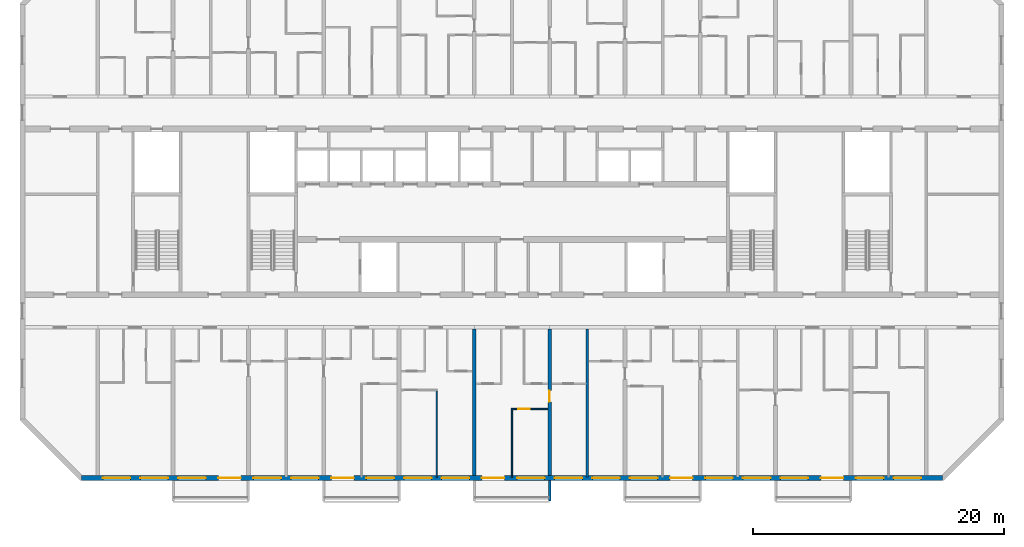
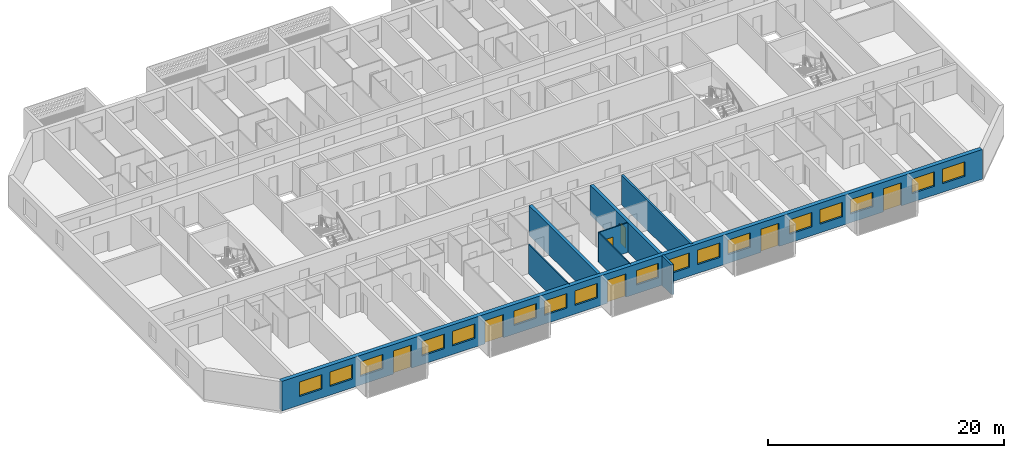
# One storey, part 4 of 33: 17 windows, 8 walls, 7 doors, 24 openings.
"""IFC4 building model written with IfcOpenShell, lengths in metres."""

from ifc_helpers import new_model, si_unit, direction, frame, frame_2d, origin, place, context, subcontext, project, spatial, polyline, rectangle, outline, extrude, source, transform, mapped, material, layer, layer_set, type_object, element, fill, save


model = new_model("IFC4")

# Units and contexts
model_context = context("Model", 3, precision=1e-05, world=origin(), true_north=direction((0.0, 1.0)))
body_context = subcontext(model_context, "Body", "Model", "MODEL_VIEW")
ifc_project = project(units=[si_unit("LENGTHUNIT", "METRE"), si_unit("AREAUNIT", "SQUARE_METRE"), si_unit("VOLUMEUNIT", "CUBIC_METRE"), si_unit("PLANEANGLEUNIT", "RADIAN"), si_unit("MASSUNIT", "GRAM", prefix="KILO")], contexts=[model_context])

# Site, building, storey
site_placement = place(None, origin())
site = spatial("IfcSite", under=ifc_project, at=site_placement, CompositionType="ELEMENT")
building_placement = place(site_placement, origin())
building = spatial("IfcBuilding", under=site, at=building_placement, Name="Poui Terraces", CompositionType="ELEMENT")
storey_placement = place(building_placement, frame((0.0, 0.0, 132.300048828125)))
storey = spatial("IfcBuildingStorey", under=building, at=storey_placement, Name="L36", CompositionType="ELEMENT", Elevation=132.300048828125)

# Wall
ifc_material_1 = material(Name="Concrete 65 MPa", Category="concrete")
ifc_layer_1 = layer(ifc_material_1, 0.300048828125)
ifc_layer_set_1 = layer_set([ifc_layer_1], Name="Concrete 65 MPa")
wall_type_1 = type_object("IfcWallType", Name="CROSS WALL 300 65MPa", PredefinedType="SHEAR", material=ifc_layer_set_1)
wall_1_placement = place(storey_placement, frame((48.0, 0.199951171875, 0.0), z_axis=(0.0, 0.0, 1.0), x_axis=(0.0, 1.0, 0.0)))
element("IfcWall", 1, at=wall_1_placement, inside=storey, type_object=wall_type_1, Name="CROSS WALL LINE 9 SOUTH", PredefinedType="SHEAR", context=body_context, shape_type="SweptSolid", body=[
    extrude(rectangle(XDim=11.675048828125, YDim=0.300048828125, at=frame_2d((5.83740234375, 0.0))), origin(), (0.0, 0.0, 1.0), 3.070068359375),
])

# Wall, opening, door
wall_2_placement = place(storey_placement, frame((54.0, 0.199951171875, 0.0), z_axis=(0.0, 0.0, 1.0), x_axis=(0.0, 1.0, 0.0)))
wall_2 = element("IfcWall", 2, at=wall_2_placement, inside=storey, type_object=wall_type_1, Name="CROSS WALL LINE 10 SOUTH", PredefinedType="SHEAR", context=body_context, shape_type="SweptSolid", body=[
    extrude(rectangle(XDim=11.675048828125, YDim=0.300048828125, at=frame_2d((5.83740234375, 0.0))), origin(), (0.0, 0.0, 1.0), 3.070068359375),
])
opening_1_placement = place(wall_2_placement, frame((5.85009765625, 0.0, 0.0)))
opening_1 = element("IfcOpeningElement", 3, at=opening_1_placement, cuts=wall_2, Name="Opening D90", PredefinedType="OPENING", context=body_context, shape_type="SweptSolid", body=[
    extrude(rectangle(XDim=0.89990234375, YDim=2.10009765625, at=frame_2d((0.449951171875, 1.050048828125))), frame((0.0, 0.16015625, 0.0), z_axis=(0.0, -1.0, 0.0), x_axis=(1.0, 0.0, 0.0)), (0.0, 0.0, 1.0), 0.320068359375),
])
ifc_material_2 = material(Name="Solid core timber door", Category="wood")
door_type_1 = type_object("IfcDoorType", Name="INTERNAL DOOR 900 X 2100", OperationType="NOTDEFINED", PredefinedType="DOOR", material=ifc_material_2)
door_1_placement = place(opening_1_placement, frame((0.89990234375, 0.0, 0.0), z_axis=(0.0, 0.0, 1.0), x_axis=(-1.0, 0.0, 0.0)))
door_1 = element("IfcDoor", 4, at=door_1_placement, inside=storey, type_object=door_type_1, Name="INTERNAL DOOR 098", OperationType="SINGLE_SWING_LEFT", OverallHeight=2.10009765625, OverallWidth=0.89990234375, PredefinedType="DOOR", context=body_context, shape_type="SweptSolid", body=[
    extrude(rectangle(XDim=0.89990234375, YDim=2.10009765625, at=frame_2d((0.449951171875, 1.050048828125))), frame((0.0, 0.02490234375, 0.0), z_axis=(0.0, -1.0, 0.0), x_axis=(1.0, 0.0, 0.0)), (0.0, 0.0, 1.0), 0.050048828125),
])
fill(opening_1, door_1)

# Wall, openings, doors, windows
ifc_material_3 = material(Name="Precast concrete 40 MPa", Category="concrete")
ifc_layer_2 = layer(ifc_material_3, 0.39990234375)
ifc_layer_set_2 = layer_set([ifc_layer_2], Name="Precast concrete 40 MPa")
wall_type_2 = type_object("IfcWallType", Name="EXTERNAL WALL 400", PredefinedType="STANDARD", material=ifc_layer_set_2)
wall_3_placement = place(storey_placement, frame((16.682861328125, 0.0, 0.0), z_axis=(0.0, 0.0, 1.0), x_axis=(1.0, 0.0, 0.0)))
wall_3 = element("IfcWall", 5, at=wall_3_placement, inside=storey, type_object=wall_type_2, Name="EXTERNAL WALL S", PredefinedType="STANDARD", context=body_context, shape_type="SweptSolid", body=[
    extrude(rectangle(XDim=68.63427734375, YDim=0.39990234375, at=frame_2d((34.317138671875, 0.0))), origin(), (0.0, 0.0, 1.0), 3.070068359375),
])
opening_2_placement = place(wall_3_placement, frame((1.71728515625, 0.0, 0.89990234375)))
opening_2 = element("IfcOpeningElement", 6, at=opening_2_placement, cuts=wall_3, Name="Opening W1", PredefinedType="OPENING", context=body_context, shape_type="SweptSolid", body=[
    extrude(rectangle(XDim=2.199951171875, YDim=1.5, at=frame_2d((1.10009765625, 0.75))), frame((0.0, 0.2099609375, 0.0), z_axis=(0.0, -1.0, 0.0), x_axis=(1.0, 0.0, 0.0)), (0.0, 0.0, 1.0), 0.419921875),
])
opening_3_placement = place(wall_3_placement, frame((4.71728515625, 0.0, 0.89990234375)))
opening_3 = element("IfcOpeningElement", 7, at=opening_3_placement, cuts=wall_3, Name="Opening W1", PredefinedType="OPENING", context=body_context, shape_type="SweptSolid", body=[
    extrude(rectangle(XDim=2.199951171875, YDim=1.5, at=frame_2d((1.10009765625, 0.75))), frame((0.0, 0.2099609375, 0.0), z_axis=(0.0, -1.0, 0.0), x_axis=(1.0, 0.0, 0.0)), (0.0, 0.0, 1.0), 0.419921875),
])
opening_4_placement = place(wall_3_placement, frame((7.71728515625, 0.0, 0.89990234375)))
opening_4 = element("IfcOpeningElement", 8, at=opening_4_placement, cuts=wall_3, Name="Opening W1", PredefinedType="OPENING", context=body_context, shape_type="SweptSolid", body=[
    extrude(rectangle(XDim=2.199951171875, YDim=1.5, at=frame_2d((1.10009765625, 0.75))), frame((0.0, 0.2099609375, 0.0), z_axis=(0.0, -1.0, 0.0), x_axis=(1.0, 0.0, 0.0)), (0.0, 0.0, 1.0), 0.419921875),
])
opening_5_placement = place(wall_3_placement, frame((10.917236328125, 0.0, 0.0)))
opening_5 = element("IfcOpeningElement", 9, at=opening_5_placement, cuts=wall_3, Name="Opening BD1", PredefinedType="OPENING", context=body_context, shape_type="SweptSolid", body=[
    extrude(rectangle(XDim=1.800048828125, YDim=2.39990234375, at=frame_2d((0.89990234375, 1.199951171875))), frame((0.0, 0.2099609375, 0.0), z_axis=(0.0, -1.0, 0.0), x_axis=(1.0, 0.0, 0.0)), (0.0, 0.0, 1.0), 0.419921875),
])
opening_6_placement = place(wall_3_placement, frame((13.71728515625, 0.0, 0.89990234375)))
opening_6 = element("IfcOpeningElement", 10, at=opening_6_placement, cuts=wall_3, Name="Opening W1", PredefinedType="OPENING", context=body_context, shape_type="SweptSolid", body=[
    extrude(rectangle(XDim=2.199951171875, YDim=1.5, at=frame_2d((1.10009765625, 0.75))), frame((0.0, 0.2099609375, 0.0), z_axis=(0.0, -1.0, 0.0), x_axis=(1.0, 0.0, 0.0)), (0.0, 0.0, 1.0), 0.419921875),
])
opening_7_placement = place(wall_3_placement, frame((16.71728515625, 0.0, 0.89990234375)))
opening_7 = element("IfcOpeningElement", 11, at=opening_7_placement, cuts=wall_3, Name="Opening W1", PredefinedType="OPENING", context=body_context, shape_type="SweptSolid", body=[
    extrude(rectangle(XDim=2.199951171875, YDim=1.5, at=frame_2d((1.10009765625, 0.75))), frame((0.0, 0.2099609375, 0.0), z_axis=(0.0, -1.0, 0.0), x_axis=(1.0, 0.0, 0.0)), (0.0, 0.0, 1.0), 0.419921875),
])
opening_8_placement = place(wall_3_placement, frame((19.917236328125, 0.0, 0.0)))
opening_8 = element("IfcOpeningElement", 12, at=opening_8_placement, cuts=wall_3, Name="Opening BD1", PredefinedType="OPENING", context=body_context, shape_type="SweptSolid", body=[
    extrude(rectangle(XDim=1.800048828125, YDim=2.39990234375, at=frame_2d((0.89990234375, 1.199951171875))), frame((0.0, 0.2099609375, 0.0), z_axis=(0.0, -1.0, 0.0), x_axis=(1.0, 0.0, 0.0)), (0.0, 0.0, 1.0), 0.419921875),
])
opening_9_placement = place(wall_3_placement, frame((22.71728515625, 0.0, 0.89990234375)))
opening_9 = element("IfcOpeningElement", 13, at=opening_9_placement, cuts=wall_3, Name="Opening W1", PredefinedType="OPENING", context=body_context, shape_type="SweptSolid", body=[
    extrude(rectangle(XDim=2.199951171875, YDim=1.5, at=frame_2d((1.10009765625, 0.75))), frame((0.0, 0.2099609375, 0.0), z_axis=(0.0, -1.0, 0.0), x_axis=(1.0, 0.0, 0.0)), (0.0, 0.0, 1.0), 0.419921875),
])
opening_10_placement = place(wall_3_placement, frame((25.71728515625, 0.0, 0.89990234375)))
opening_10 = element("IfcOpeningElement", 14, at=opening_10_placement, cuts=wall_3, Name="Opening W1", PredefinedType="OPENING", context=body_context, shape_type="SweptSolid", body=[
    extrude(rectangle(XDim=2.199951171875, YDim=1.5, at=frame_2d((1.10009765625, 0.75))), frame((0.0, 0.2099609375, 0.0), z_axis=(0.0, -1.0, 0.0), x_axis=(1.0, 0.0, 0.0)), (0.0, 0.0, 1.0), 0.419921875),
])
opening_11_placement = place(wall_3_placement, frame((28.71728515625, 0.0, 0.89990234375)))
opening_11 = element("IfcOpeningElement", 15, at=opening_11_placement, cuts=wall_3, Name="Opening W1", PredefinedType="OPENING", context=body_context, shape_type="SweptSolid", body=[
    extrude(rectangle(XDim=2.199951171875, YDim=1.5, at=frame_2d((1.10009765625, 0.75))), frame((0.0, 0.2099609375, 0.0), z_axis=(0.0, -1.0, 0.0), x_axis=(1.0, 0.0, 0.0)), (0.0, 0.0, 1.0), 0.419921875),
])
opening_12_placement = place(wall_3_placement, frame((31.917236328125, 0.0, 0.0)))
opening_12 = element("IfcOpeningElement", 16, at=opening_12_placement, cuts=wall_3, Name="Opening BD1", PredefinedType="OPENING", context=body_context, shape_type="SweptSolid", body=[
    extrude(rectangle(XDim=1.800048828125, YDim=2.39990234375, at=frame_2d((0.89990234375, 1.199951171875))), frame((0.0, 0.2099609375, 0.0), z_axis=(0.0, -1.0, 0.0), x_axis=(1.0, 0.0, 0.0)), (0.0, 0.0, 1.0), 0.419921875),
])
opening_13_placement = place(wall_3_placement, frame((34.71728515625, 0.0, 0.89990234375)))
opening_13 = element("IfcOpeningElement", 17, at=opening_13_placement, cuts=wall_3, Name="Opening W1", PredefinedType="OPENING", context=body_context, shape_type="SweptSolid", body=[
    extrude(rectangle(XDim=2.199951171875, YDim=1.5, at=frame_2d((1.10009765625, 0.75))), frame((0.0, 0.2099609375, 0.0), z_axis=(0.0, -1.0, 0.0), x_axis=(1.0, 0.0, 0.0)), (0.0, 0.0, 1.0), 0.419921875),
])
opening_14_placement = place(wall_3_placement, frame((37.71728515625, 0.0, 0.89990234375)))
opening_14 = element("IfcOpeningElement", 18, at=opening_14_placement, cuts=wall_3, Name="Opening W1", PredefinedType="OPENING", context=body_context, shape_type="SweptSolid", body=[
    extrude(rectangle(XDim=2.199951171875, YDim=1.5, at=frame_2d((1.10009765625, 0.75))), frame((0.0, 0.2099609375, 0.0), z_axis=(0.0, -1.0, 0.0), x_axis=(1.0, 0.0, 0.0)), (0.0, 0.0, 1.0), 0.419921875),
])
opening_15_placement = place(wall_3_placement, frame((40.71728515625, 0.0, 0.89990234375)))
opening_15 = element("IfcOpeningElement", 19, at=opening_15_placement, cuts=wall_3, Name="Opening W1", PredefinedType="OPENING", context=body_context, shape_type="SweptSolid", body=[
    extrude(rectangle(XDim=2.199951171875, YDim=1.5, at=frame_2d((1.10009765625, 0.75))), frame((0.0, 0.2099609375, 0.0), z_axis=(0.0, -1.0, 0.0), x_axis=(1.0, 0.0, 0.0)), (0.0, 0.0, 1.0), 0.419921875),
])
opening_16_placement = place(wall_3_placement, frame((43.71728515625, 0.0, 0.89990234375)))
opening_16 = element("IfcOpeningElement", 20, at=opening_16_placement, cuts=wall_3, Name="Opening W1", PredefinedType="OPENING", context=body_context, shape_type="SweptSolid", body=[
    extrude(rectangle(XDim=2.199951171875, YDim=1.5, at=frame_2d((1.10009765625, 0.75))), frame((0.0, 0.2099609375, 0.0), z_axis=(0.0, -1.0, 0.0), x_axis=(1.0, 0.0, 0.0)), (0.0, 0.0, 1.0), 0.419921875),
])
opening_17_placement = place(wall_3_placement, frame((46.917236328125, 0.0, 0.0)))
opening_17 = element("IfcOpeningElement", 21, at=opening_17_placement, cuts=wall_3, Name="Opening BD1", PredefinedType="OPENING", context=body_context, shape_type="SweptSolid", body=[
    extrude(rectangle(XDim=1.800048828125, YDim=2.39990234375, at=frame_2d((0.89990234375, 1.199951171875))), frame((0.0, 0.2099609375, 0.0), z_axis=(0.0, -1.0, 0.0), x_axis=(1.0, 0.0, 0.0)), (0.0, 0.0, 1.0), 0.419921875),
])
opening_18_placement = place(wall_3_placement, frame((49.71728515625, 0.0, 0.89990234375)))
opening_18 = element("IfcOpeningElement", 22, at=opening_18_placement, cuts=wall_3, Name="Opening W1", PredefinedType="OPENING", context=body_context, shape_type="SweptSolid", body=[
    extrude(rectangle(XDim=2.199951171875, YDim=1.5, at=frame_2d((1.10009765625, 0.75))), frame((0.0, 0.2099609375, 0.0), z_axis=(0.0, -1.0, 0.0), x_axis=(1.0, 0.0, 0.0)), (0.0, 0.0, 1.0), 0.419921875),
])
opening_19_placement = place(wall_3_placement, frame((52.71728515625, 0.0, 0.89990234375)))
opening_19 = element("IfcOpeningElement", 23, at=opening_19_placement, cuts=wall_3, Name="Opening W1", PredefinedType="OPENING", context=body_context, shape_type="SweptSolid", body=[
    extrude(rectangle(XDim=2.199951171875, YDim=1.5, at=frame_2d((1.10009765625, 0.75))), frame((0.0, 0.2099609375, 0.0), z_axis=(0.0, -1.0, 0.0), x_axis=(1.0, 0.0, 0.0)), (0.0, 0.0, 1.0), 0.419921875),
])
opening_20_placement = place(wall_3_placement, frame((55.71728515625, 0.0, 0.89990234375)))
opening_20 = element("IfcOpeningElement", 24, at=opening_20_placement, cuts=wall_3, Name="Opening W1", PredefinedType="OPENING", context=body_context, shape_type="SweptSolid", body=[
    extrude(rectangle(XDim=2.199951171875, YDim=1.5, at=frame_2d((1.10009765625, 0.75))), frame((0.0, 0.2099609375, 0.0), z_axis=(0.0, -1.0, 0.0), x_axis=(1.0, 0.0, 0.0)), (0.0, 0.0, 1.0), 0.419921875),
])
opening_21_placement = place(wall_3_placement, frame((58.917236328125, 0.0, 0.0)))
opening_21 = element("IfcOpeningElement", 25, at=opening_21_placement, cuts=wall_3, Name="Opening BD1", PredefinedType="OPENING", context=body_context, shape_type="SweptSolid", body=[
    extrude(rectangle(XDim=1.800048828125, YDim=2.39990234375, at=frame_2d((0.89990234375, 1.199951171875))), frame((0.0, 0.2099609375, 0.0), z_axis=(0.0, -1.0, 0.0), x_axis=(1.0, 0.0, 0.0)), (0.0, 0.0, 1.0), 0.419921875),
])
opening_22_placement = place(wall_3_placement, frame((61.71728515625, 0.0, 0.89990234375)))
opening_22 = element("IfcOpeningElement", 26, at=opening_22_placement, cuts=wall_3, Name="Opening W1", PredefinedType="OPENING", context=body_context, shape_type="SweptSolid", body=[
    extrude(rectangle(XDim=2.199951171875, YDim=1.5, at=frame_2d((1.10009765625, 0.75))), frame((0.0, 0.2099609375, 0.0), z_axis=(0.0, -1.0, 0.0), x_axis=(1.0, 0.0, 0.0)), (0.0, 0.0, 1.0), 0.419921875),
])
opening_23_placement = place(wall_3_placement, frame((64.71728515625, 0.0, 0.89990234375)))
opening_23 = element("IfcOpeningElement", 27, at=opening_23_placement, cuts=wall_3, Name="Opening W1", PredefinedType="OPENING", context=body_context, shape_type="SweptSolid", body=[
    extrude(rectangle(XDim=2.199951171875, YDim=1.5, at=frame_2d((1.10009765625, 0.75))), frame((0.0, 0.2099609375, 0.0), z_axis=(0.0, -1.0, 0.0), x_axis=(1.0, 0.0, 0.0)), (0.0, 0.0, 1.0), 0.419921875),
])
ifc_material_4 = material(Name="Clear glass in aluminium frame", Category="aluminium")
door_type_2 = type_object("IfcDoorType", Name="BALCONY DOOR 1800X2400", OperationType="DOUBLE_DOOR_SLIDING", PredefinedType="DOOR", material=ifc_material_4)
door_2_placement = place(opening_5_placement, origin())
door_2 = element("IfcDoor", 28, at=door_2_placement, inside=storey, type_object=door_type_2, Name="BD1 BALCONY DOOR", OperationType="DOUBLE_DOOR_SLIDING", OverallHeight=2.39990234375, OverallWidth=1.800048828125, PredefinedType="DOOR", context=body_context, shape_type="SweptSolid", body=[
    extrude(rectangle(XDim=1.800048828125, YDim=2.39990234375, at=frame_2d((0.89990234375, 1.199951171875))), frame((0.0, 0.02490234375, 0.0), z_axis=(0.0, -1.0, 0.0), x_axis=(1.0, 0.0, 0.0)), (0.0, 0.0, 1.0), 0.050048828125),
])
fill(opening_5, door_2)
door_3_placement = place(opening_8_placement, origin())
door_3 = element("IfcDoor", 29, at=door_3_placement, inside=storey, type_object=door_type_2, Name="BD1 BALCONY DOOR", OperationType="DOUBLE_DOOR_SLIDING", OverallHeight=2.39990234375, OverallWidth=1.800048828125, PredefinedType="DOOR", context=body_context, shape_type="SweptSolid", body=[
    extrude(rectangle(XDim=1.800048828125, YDim=2.39990234375, at=frame_2d((0.89990234375, 1.199951171875))), frame((0.0, 0.02490234375, 0.0), z_axis=(0.0, -1.0, 0.0), x_axis=(1.0, 0.0, 0.0)), (0.0, 0.0, 1.0), 0.050048828125),
])
fill(opening_8, door_3)
door_4_placement = place(opening_12_placement, origin())
door_4 = element("IfcDoor", 30, at=door_4_placement, inside=storey, type_object=door_type_2, Name="BD1 BALCONY DOOR", OperationType="DOUBLE_DOOR_SLIDING", OverallHeight=2.39990234375, OverallWidth=1.800048828125, PredefinedType="DOOR", context=body_context, shape_type="SweptSolid", body=[
    extrude(rectangle(XDim=1.800048828125, YDim=2.39990234375, at=frame_2d((0.89990234375, 1.199951171875))), frame((0.0, 0.02490234375, 0.0), z_axis=(0.0, -1.0, 0.0), x_axis=(1.0, 0.0, 0.0)), (0.0, 0.0, 1.0), 0.050048828125),
])
fill(opening_12, door_4)
door_5_placement = place(opening_17_placement, origin())
door_5 = element("IfcDoor", 31, at=door_5_placement, inside=storey, type_object=door_type_2, Name="BD1 BALCONY DOOR", OperationType="DOUBLE_DOOR_SLIDING", OverallHeight=2.39990234375, OverallWidth=1.800048828125, PredefinedType="DOOR", context=body_context, shape_type="SweptSolid", body=[
    extrude(rectangle(XDim=1.800048828125, YDim=2.39990234375, at=frame_2d((0.89990234375, 1.199951171875))), frame((0.0, 0.02490234375, 0.0), z_axis=(0.0, -1.0, 0.0), x_axis=(1.0, 0.0, 0.0)), (0.0, 0.0, 1.0), 0.050048828125),
])
fill(opening_17, door_5)
door_6_placement = place(opening_21_placement, origin())
door_6 = element("IfcDoor", 32, at=door_6_placement, inside=storey, type_object=door_type_2, Name="BD1 BALCONY DOOR", OperationType="DOUBLE_DOOR_SLIDING", OverallHeight=2.39990234375, OverallWidth=1.800048828125, PredefinedType="DOOR", context=body_context, shape_type="SweptSolid", body=[
    extrude(rectangle(XDim=1.800048828125, YDim=2.39990234375, at=frame_2d((0.89990234375, 1.199951171875))), frame((0.0, 0.02490234375, 0.0), z_axis=(0.0, -1.0, 0.0), x_axis=(1.0, 0.0, 0.0)), (0.0, 0.0, 1.0), 0.050048828125),
])
fill(opening_21, door_6)
window_type = type_object("IfcWindowType", Name="WINDOW 2200X1500", PartitioningType="DOUBLE_PANEL_HORIZONTAL", PredefinedType="WINDOW", material=ifc_material_4)
window_1_placement = place(opening_2_placement, origin())
window_1 = element("IfcWindow", 33, at=window_1_placement, inside=storey, type_object=window_type, Name="W1 WINDOW", OverallHeight=1.5, OverallWidth=2.199951171875, PartitioningType="DOUBLE_PANEL_HORIZONTAL", PredefinedType="WINDOW", context=body_context, shape_type="SweptSolid", body=[
    extrude(rectangle(XDim=2.199951171875, YDim=1.5, at=frame_2d((1.10009765625, 0.75))), frame((0.0, 0.030029296875, 0.0), z_axis=(0.0, -1.0, 0.0), x_axis=(1.0, 0.0, 0.0)), (0.0, 0.0, 1.0), 0.06005859375),
])
fill(opening_2, window_1)
window_2_placement = place(opening_3_placement, origin())
window_2 = element("IfcWindow", 34, at=window_2_placement, inside=storey, type_object=window_type, Name="W1 WINDOW", OverallHeight=1.5, OverallWidth=2.199951171875, PartitioningType="DOUBLE_PANEL_HORIZONTAL", PredefinedType="WINDOW", context=body_context, shape_type="SweptSolid", body=[
    extrude(rectangle(XDim=2.199951171875, YDim=1.5, at=frame_2d((1.10009765625, 0.75))), frame((0.0, 0.030029296875, 0.0), z_axis=(0.0, -1.0, 0.0), x_axis=(1.0, 0.0, 0.0)), (0.0, 0.0, 1.0), 0.06005859375),
])
fill(opening_3, window_2)
window_3_placement = place(opening_4_placement, origin())
window_3 = element("IfcWindow", 35, at=window_3_placement, inside=storey, type_object=window_type, Name="W1 WINDOW", OverallHeight=1.5, OverallWidth=2.199951171875, PartitioningType="DOUBLE_PANEL_HORIZONTAL", PredefinedType="WINDOW", context=body_context, shape_type="SweptSolid", body=[
    extrude(rectangle(XDim=2.199951171875, YDim=1.5, at=frame_2d((1.10009765625, 0.75))), frame((0.0, 0.030029296875, 0.0), z_axis=(0.0, -1.0, 0.0), x_axis=(1.0, 0.0, 0.0)), (0.0, 0.0, 1.0), 0.06005859375),
])
fill(opening_4, window_3)
window_4_placement = place(opening_6_placement, origin())
window_4 = element("IfcWindow", 36, at=window_4_placement, inside=storey, type_object=window_type, Name="W1 WINDOW", OverallHeight=1.5, OverallWidth=2.199951171875, PartitioningType="DOUBLE_PANEL_HORIZONTAL", PredefinedType="WINDOW", context=body_context, shape_type="SweptSolid", body=[
    extrude(rectangle(XDim=2.199951171875, YDim=1.5, at=frame_2d((1.10009765625, 0.75))), frame((0.0, 0.030029296875, 0.0), z_axis=(0.0, -1.0, 0.0), x_axis=(1.0, 0.0, 0.0)), (0.0, 0.0, 1.0), 0.06005859375),
])
fill(opening_6, window_4)
window_5_placement = place(opening_7_placement, origin())
window_5 = element("IfcWindow", 37, at=window_5_placement, inside=storey, type_object=window_type, Name="W1 WINDOW", OverallHeight=1.5, OverallWidth=2.199951171875, PartitioningType="DOUBLE_PANEL_HORIZONTAL", PredefinedType="WINDOW", context=body_context, shape_type="SweptSolid", body=[
    extrude(rectangle(XDim=2.199951171875, YDim=1.5, at=frame_2d((1.10009765625, 0.75))), frame((0.0, 0.030029296875, 0.0), z_axis=(0.0, -1.0, 0.0), x_axis=(1.0, 0.0, 0.0)), (0.0, 0.0, 1.0), 0.06005859375),
])
fill(opening_7, window_5)
window_6_placement = place(opening_9_placement, origin())
window_6 = element("IfcWindow", 38, at=window_6_placement, inside=storey, type_object=window_type, Name="W1 WINDOW", OverallHeight=1.5, OverallWidth=2.199951171875, PartitioningType="DOUBLE_PANEL_HORIZONTAL", PredefinedType="WINDOW", context=body_context, shape_type="SweptSolid", body=[
    extrude(rectangle(XDim=2.199951171875, YDim=1.5, at=frame_2d((1.10009765625, 0.75))), frame((0.0, 0.030029296875, 0.0), z_axis=(0.0, -1.0, 0.0), x_axis=(1.0, 0.0, 0.0)), (0.0, 0.0, 1.0), 0.06005859375),
])
fill(opening_9, window_6)
window_7_placement = place(opening_10_placement, origin())
window_7 = element("IfcWindow", 39, at=window_7_placement, inside=storey, type_object=window_type, Name="W1 WINDOW", OverallHeight=1.5, OverallWidth=2.199951171875, PartitioningType="DOUBLE_PANEL_HORIZONTAL", PredefinedType="WINDOW", context=body_context, shape_type="SweptSolid", body=[
    extrude(rectangle(XDim=2.199951171875, YDim=1.5, at=frame_2d((1.10009765625, 0.75))), frame((0.0, 0.030029296875, 0.0), z_axis=(0.0, -1.0, 0.0), x_axis=(1.0, 0.0, 0.0)), (0.0, 0.0, 1.0), 0.06005859375),
])
fill(opening_10, window_7)
window_8_placement = place(opening_11_placement, origin())
window_8 = element("IfcWindow", 40, at=window_8_placement, inside=storey, type_object=window_type, Name="W1 WINDOW", OverallHeight=1.5, OverallWidth=2.199951171875, PartitioningType="DOUBLE_PANEL_HORIZONTAL", PredefinedType="WINDOW", context=body_context, shape_type="SweptSolid", body=[
    extrude(rectangle(XDim=2.199951171875, YDim=1.5, at=frame_2d((1.10009765625, 0.75))), frame((0.0, 0.030029296875, 0.0), z_axis=(0.0, -1.0, 0.0), x_axis=(1.0, 0.0, 0.0)), (0.0, 0.0, 1.0), 0.06005859375),
])
fill(opening_11, window_8)
window_9_placement = place(opening_13_placement, origin())
window_9 = element("IfcWindow", 41, at=window_9_placement, inside=storey, type_object=window_type, Name="W1 WINDOW", OverallHeight=1.5, OverallWidth=2.199951171875, PartitioningType="DOUBLE_PANEL_HORIZONTAL", PredefinedType="WINDOW", context=body_context, shape_type="SweptSolid", body=[
    extrude(rectangle(XDim=2.199951171875, YDim=1.5, at=frame_2d((1.10009765625, 0.75))), frame((0.0, 0.030029296875, 0.0), z_axis=(0.0, -1.0, 0.0), x_axis=(1.0, 0.0, 0.0)), (0.0, 0.0, 1.0), 0.06005859375),
])
fill(opening_13, window_9)
window_10_placement = place(opening_14_placement, origin())
window_10 = element("IfcWindow", 42, at=window_10_placement, inside=storey, type_object=window_type, Name="W1 WINDOW", OverallHeight=1.5, OverallWidth=2.199951171875, PartitioningType="DOUBLE_PANEL_HORIZONTAL", PredefinedType="WINDOW", context=body_context, shape_type="SweptSolid", body=[
    extrude(rectangle(XDim=2.199951171875, YDim=1.5, at=frame_2d((1.10009765625, 0.75))), frame((0.0, 0.030029296875, 0.0), z_axis=(0.0, -1.0, 0.0), x_axis=(1.0, 0.0, 0.0)), (0.0, 0.0, 1.0), 0.06005859375),
])
fill(opening_14, window_10)
window_11_placement = place(opening_15_placement, origin())
window_11 = element("IfcWindow", 43, at=window_11_placement, inside=storey, type_object=window_type, Name="W1 WINDOW", OverallHeight=1.5, OverallWidth=2.199951171875, PartitioningType="DOUBLE_PANEL_HORIZONTAL", PredefinedType="WINDOW", context=body_context, shape_type="SweptSolid", body=[
    extrude(rectangle(XDim=2.199951171875, YDim=1.5, at=frame_2d((1.10009765625, 0.75))), frame((0.0, 0.030029296875, 0.0), z_axis=(0.0, -1.0, 0.0), x_axis=(1.0, 0.0, 0.0)), (0.0, 0.0, 1.0), 0.06005859375),
])
fill(opening_15, window_11)
window_12_placement = place(opening_16_placement, origin())
window_12 = element("IfcWindow", 44, at=window_12_placement, inside=storey, type_object=window_type, Name="W1 WINDOW", OverallHeight=1.5, OverallWidth=2.199951171875, PartitioningType="DOUBLE_PANEL_HORIZONTAL", PredefinedType="WINDOW", context=body_context, shape_type="SweptSolid", body=[
    extrude(rectangle(XDim=2.199951171875, YDim=1.5, at=frame_2d((1.10009765625, 0.75))), frame((0.0, 0.030029296875, 0.0), z_axis=(0.0, -1.0, 0.0), x_axis=(1.0, 0.0, 0.0)), (0.0, 0.0, 1.0), 0.06005859375),
])
fill(opening_16, window_12)
window_13_placement = place(opening_18_placement, origin())
window_13 = element("IfcWindow", 45, at=window_13_placement, inside=storey, type_object=window_type, Name="W1 WINDOW", OverallHeight=1.5, OverallWidth=2.199951171875, PartitioningType="DOUBLE_PANEL_HORIZONTAL", PredefinedType="WINDOW", context=body_context, shape_type="SweptSolid", body=[
    extrude(rectangle(XDim=2.199951171875, YDim=1.5, at=frame_2d((1.10009765625, 0.75))), frame((0.0, 0.030029296875, 0.0), z_axis=(0.0, -1.0, 0.0), x_axis=(1.0, 0.0, 0.0)), (0.0, 0.0, 1.0), 0.06005859375),
])
fill(opening_18, window_13)
window_14_placement = place(opening_19_placement, origin())
window_14 = element("IfcWindow", 46, at=window_14_placement, inside=storey, type_object=window_type, Name="W1 WINDOW", OverallHeight=1.5, OverallWidth=2.199951171875, PartitioningType="DOUBLE_PANEL_HORIZONTAL", PredefinedType="WINDOW", context=body_context, shape_type="SweptSolid", body=[
    extrude(rectangle(XDim=2.199951171875, YDim=1.5, at=frame_2d((1.10009765625, 0.75))), frame((0.0, 0.030029296875, 0.0), z_axis=(0.0, -1.0, 0.0), x_axis=(1.0, 0.0, 0.0)), (0.0, 0.0, 1.0), 0.06005859375),
])
fill(opening_19, window_14)
window_15_placement = place(opening_20_placement, origin())
window_15 = element("IfcWindow", 47, at=window_15_placement, inside=storey, type_object=window_type, Name="W1 WINDOW", OverallHeight=1.5, OverallWidth=2.199951171875, PartitioningType="DOUBLE_PANEL_HORIZONTAL", PredefinedType="WINDOW", context=body_context, shape_type="SweptSolid", body=[
    extrude(rectangle(XDim=2.199951171875, YDim=1.5, at=frame_2d((1.10009765625, 0.75))), frame((0.0, 0.030029296875, 0.0), z_axis=(0.0, -1.0, 0.0), x_axis=(1.0, 0.0, 0.0)), (0.0, 0.0, 1.0), 0.06005859375),
])
fill(opening_20, window_15)
window_16_placement = place(opening_22_placement, origin())
window_16 = element("IfcWindow", 48, at=window_16_placement, inside=storey, type_object=window_type, Name="W1 WINDOW", OverallHeight=1.5, OverallWidth=2.199951171875, PartitioningType="DOUBLE_PANEL_HORIZONTAL", PredefinedType="WINDOW", context=body_context, shape_type="SweptSolid", body=[
    extrude(rectangle(XDim=2.199951171875, YDim=1.5, at=frame_2d((1.10009765625, 0.75))), frame((0.0, 0.030029296875, 0.0), z_axis=(0.0, -1.0, 0.0), x_axis=(1.0, 0.0, 0.0)), (0.0, 0.0, 1.0), 0.06005859375),
])
fill(opening_22, window_16)
window_17_placement = place(opening_23_placement, origin())
window_17 = element("IfcWindow", 49, at=window_17_placement, inside=storey, type_object=window_type, Name="W1 WINDOW", OverallHeight=1.5, OverallWidth=2.199951171875, PartitioningType="DOUBLE_PANEL_HORIZONTAL", PredefinedType="WINDOW", context=body_context, shape_type="SweptSolid", body=[
    extrude(rectangle(XDim=2.199951171875, YDim=1.5, at=frame_2d((1.10009765625, 0.75))), frame((0.0, 0.030029296875, 0.0), z_axis=(0.0, -1.0, 0.0), x_axis=(1.0, 0.0, 0.0)), (0.0, 0.0, 1.0), 0.06005859375),
])
fill(opening_23, window_17)

# Wall, opening, door
ifc_material_5 = material(Name="Plasterboard partition")
ifc_layer_3 = layer(ifc_material_5, 0.10009765625)
ifc_layer_set_3 = layer_set([ifc_layer_3], Name="Plasterboard partition")
wall_type_3 = type_object("IfcWallType", Name="FLAT PARTITION 100", PredefinedType="PARTITIONING", material=ifc_layer_set_3)
wall_4_placement = place(storey_placement, frame((50.949951171875, 5.5, 0.0), z_axis=(0.0, 0.0, 1.0), x_axis=(1.0, 0.0, 0.0)))
wall_4 = element("IfcWall", 50, at=wall_4_placement, inside=storey, type_object=wall_type_3, Name="FLAT PARTITION 100", PredefinedType="PARTITIONING", context=body_context, shape_type="SweptSolid", body=[
    extrude(rectangle(XDim=2.89013671875, YDim=0.10009765625, at=frame_2d((1.445068359375, 0.0))), origin(), (0.0, 0.0, 1.0), 3.070068359375),
])
opening_24_placement = place(wall_4_placement, frame((0.550048828125, 0.0, 0.0)))
opening_24 = element("IfcOpeningElement", 51, at=opening_24_placement, cuts=wall_4, Name="Opening D90", PredefinedType="OPENING", context=body_context, shape_type="SweptSolid", body=[
    extrude(rectangle(XDim=0.89990234375, YDim=2.10009765625, at=frame_2d((0.449951171875, 1.050048828125))), frame((0.0, 0.06005859375, 0.0), z_axis=(0.0, -1.0, 0.0), x_axis=(1.0, 0.0, 0.0)), (0.0, 0.0, 1.0), 0.1201171875),
])
door_7_placement = place(opening_24_placement, frame((0.89990234375, 0.0, 0.0), z_axis=(0.0, 0.0, 1.0), x_axis=(-1.0, 0.0, 0.0)))
door_7 = element("IfcDoor", 52, at=door_7_placement, inside=storey, type_object=door_type_1, Name="INTERNAL DOOR 096", OperationType="SINGLE_SWING_RIGHT", OverallHeight=2.10009765625, OverallWidth=0.89990234375, PredefinedType="DOOR", context=body_context, shape_type="SweptSolid", body=[
    extrude(rectangle(XDim=0.89990234375, YDim=2.10009765625, at=frame_2d((0.449951171875, 1.050048828125))), frame((0.0, 0.02490234375, 0.0), z_axis=(0.0, -1.0, 0.0), x_axis=(1.0, 0.0, 0.0)), (0.0, 0.0, 1.0), 0.050048828125),
])
fill(opening_24, door_7)

# Walls
wall_5_placement = place(storey_placement, frame((45.0, 0.06005859375, 0.0), z_axis=(0.0, 0.0, 1.0), x_axis=(0.0, 1.0, 0.0)))
element("IfcWall", 53, at=wall_5_placement, inside=storey, type_object=wall_type_3, Name="FLAT PARTITION 100", PredefinedType="PARTITIONING", context=body_context, shape_type="SweptSolid", body=[
    extrude(rectangle(XDim=6.889892578125, YDim=0.10009765625, at=frame_2d((3.44482421875, 0.0))), origin(), (0.0, 0.0, 1.0), 3.070068359375),
])
wall_6_placement = place(storey_placement, frame((51.0, 0.06005859375, 0.0), z_axis=(0.0, 0.0, 1.0), x_axis=(0.0, 1.0, 0.0)))
element("IfcWall", 54, at=wall_6_placement, inside=storey, type_object=wall_type_3, Name="FLAT PARTITION 100", PredefinedType="PARTITIONING", context=body_context, shape_type="SweptSolid", body=[
    extrude(rectangle(XDim=5.389892578125, YDim=0.10009765625, at=frame_2d((2.69482421875, 0.0))), origin(), (0.0, 0.0, 1.0), 3.070068359375),
])
ifc_material_6 = material(Name="Fire-rated masonry wall", Category="masonry")
ifc_layer_4 = layer(ifc_material_6, 0.199951171875)
ifc_layer_set_4 = layer_set([ifc_layer_4], Name="Fire-rated masonry wall")
wall_type_4 = type_object("IfcWallType", Name="FLAT PARTY WALL 200", PredefinedType="PARTITIONING", material=ifc_layer_set_4)
wall_7_placement = place(storey_placement, frame((57.0, 0.06005859375, 0.0), z_axis=(0.0, 0.0, 1.0), x_axis=(0.0, 1.0, 0.0)))
element("IfcWall", 55, at=wall_7_placement, inside=storey, type_object=wall_type_4, Name="FLAT PARTY WALL 200", PredefinedType="PARTITIONING", context=body_context, shape_type="SweptSolid", body=[
    extrude(rectangle(XDim=11.804931640625, YDim=0.199951171875, at=frame_2d((5.90234375, 0.0))), origin(), (0.0, 0.0, 1.0), 3.070068359375),
])
ifc_layer_5 = layer(ifc_material_3, 0.199951171875)
ifc_layer_set_5 = layer_set([ifc_layer_5], Name="Precast concrete 40 MPa")
wall_type_5 = type_object("IfcWallType", Name="REAR FIN 200", PredefinedType="STANDARD", material=ifc_layer_set_5)
shared_shape = source(origin(), body_context, "Body", "SweptSolid", [
    extrude(outline(polyline([(0.0, 0.0), (0.2001953125, 0.0), (0.2001953125, 1.650146484375), (0.0, 1.650146484375), (0.0, 0.0)])), origin(), (0.0, 0.0, 1.0), 3.099853515625),
])
wall_8_placement = place(storey_placement, frame((53.89990234375, -1.85009765625, 0.0)))
element("IfcWall", 56, at=wall_8_placement, inside=storey, type_object=wall_type_5, Name="REAR FIN", PredefinedType="STANDARD", context=body_context, shape_type="MappedRepresentation", body=[
    mapped(shared_shape, transform((0.0, 0.0, 0.0))),
])

save(model, "model.ifc")
